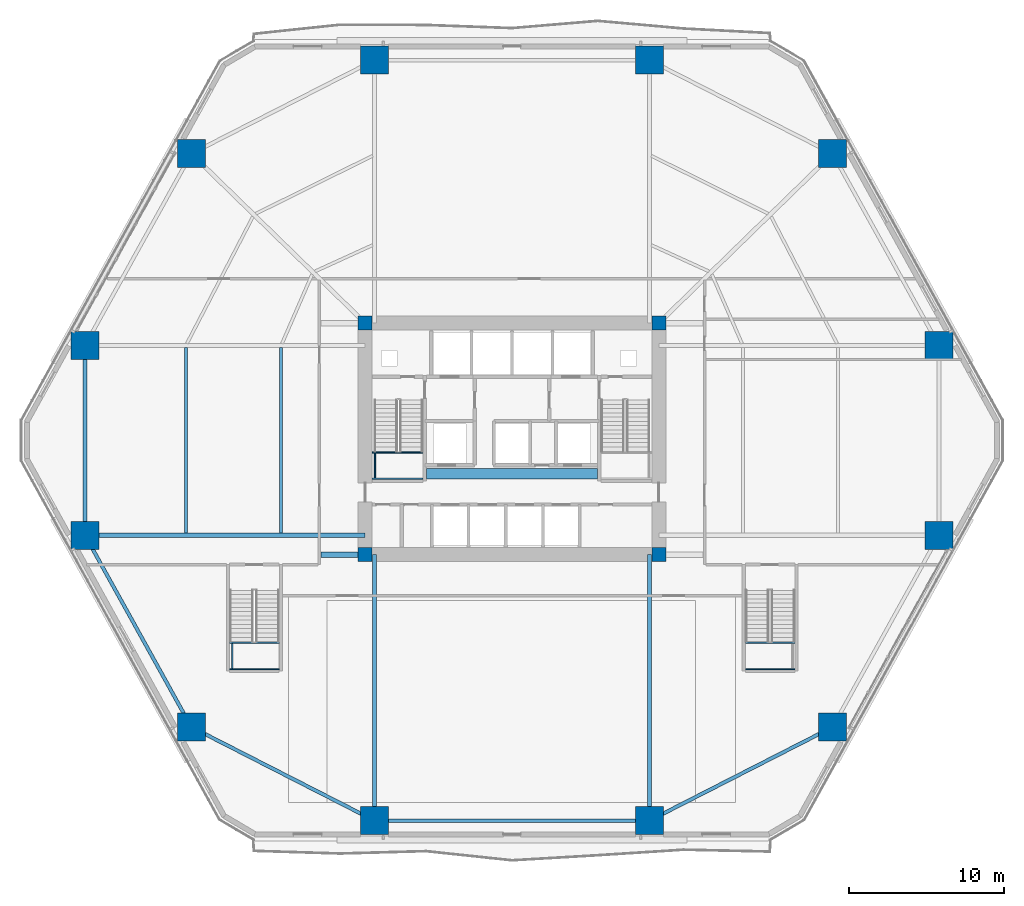
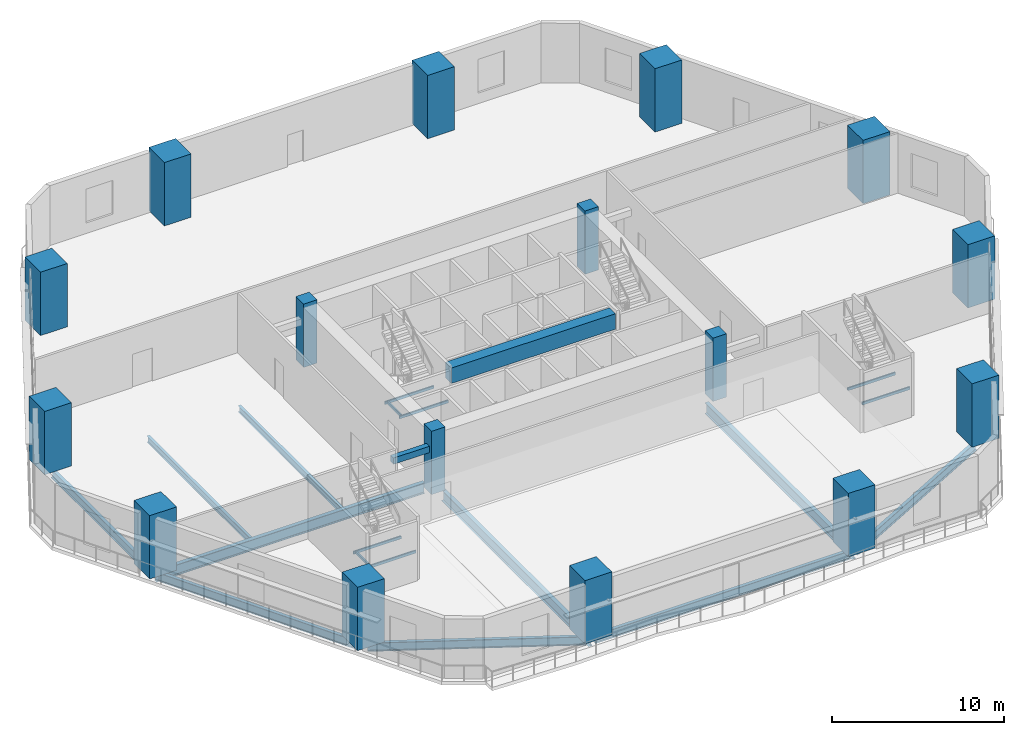
# One storey, part 1 of 21: 20 beams, 16 columns.
"""IFC4 building model written with IfcOpenShell, lengths in metres."""

from ifc_helpers import new_model, si_unit, direction, frame, origin, origin_2d, place, context, subcontext, project, spatial, rectangle, hollow_rectangle, i_section, extrude, material, material_profile, profile_set, type_object, element, save


model = new_model("IFC4")

# Units and contexts
model_context = context("Model", 3, precision=1e-05, world=origin(), true_north=direction((0.0, 1.0)))
body_context = subcontext(model_context, "Body", "Model", "MODEL_VIEW")
ifc_project = project(units=[si_unit("LENGTHUNIT", "METRE"), si_unit("AREAUNIT", "SQUARE_METRE"), si_unit("VOLUMEUNIT", "CUBIC_METRE"), si_unit("PLANEANGLEUNIT", "RADIAN"), si_unit("MASSUNIT", "GRAM", prefix="KILO")], contexts=[model_context])

# Site, building, storey
site_placement = place(None, origin())
site = spatial("IfcSite", under=ifc_project, at=site_placement, CompositionType="ELEMENT")
building_placement = place(site_placement, origin())
building = spatial("IfcBuilding", under=site, at=building_placement, Name="Cinnabar Lancet Tower", CompositionType="ELEMENT")
storey_placement = place(building_placement, frame((0.0, 0.0, 6.0)))
storey = spatial("IfcBuildingStorey", under=building, at=storey_placement, Name="L01", CompositionType="ELEMENT", Elevation=6.0)

# Columns
ifc_material_1 = material(Name="Concrete C80/95", Category="concrete")
ifc_material_profile_1 = material_profile(ifc_material_1, rectangle(XDim=0.89990234375, YDim=0.89990234375, at=origin_2d()), Name="RC-COL 900x900")
ifc_profile_set_1 = profile_set([ifc_material_profile_1], Name="Concrete C80/95")
column_type_1 = type_object("IfcColumnType", Name="STR-COL-CORE-900", PredefinedType="COLUMN", material=ifc_profile_set_1)
for number, where, z_axis, x_axis, name in (
    (1, (22.949951171875, 18.449951171875, 0.0), (0.0, 0.0, 1.0), (1.0, 0.0, 0.0), "L01 Core Corner Column SW"),
    (2, (41.85009765625, 18.449951171875, 0.0), (0.0, 0.0, 1.0), (1.0, 0.0, 0.0), "L01 Core Corner Column SE"),
    (3, (41.85009765625, 33.35009765625, 0.0), (0.0, 0.0, 1.0), (1.0, 0.0, 0.0), "L01 Core Corner Column NE"),
    (4, (22.949951171875, 33.35009765625, 0.0), (0.0, 0.0, 1.0), (1.0, 0.0, 0.0), "L01 Core Corner Column NW"),
):
    element("IfcColumn", number, at=place(storey_placement, frame(where, z_axis=z_axis, x_axis=x_axis)), inside=storey, type_object=column_type_1, Name=name, PredefinedType="COLUMN", context=body_context, shape_type="SweptSolid", body=[
        extrude(rectangle(XDim=0.89990234375, YDim=0.89990234375, at=origin_2d()), origin(), (0.0, 0.0, 1.0), 4.5),
    ])
ifc_material_2 = material(Name="Concrete C80/95", Category="concrete")
ifc_material_profile_2 = material_profile(ifc_material_2, rectangle(XDim=1.800048828125, YDim=1.800048828125, at=origin_2d()), Name="RC-MEGA 1800x1800")
ifc_profile_set_2 = profile_set([ifc_material_profile_2], Name="Concrete C80/95")
column_type_2 = type_object("IfcColumnType", Name="STR-COL-MEGA-1800", PredefinedType="COLUMN", material=ifc_profile_set_2)
for number, where, z_axis, x_axis, name in (
    (5, (23.554931640625, 1.31689453125, 0.0), (0.0, 0.0, 1.0), (1.0, 0.0, 0.0), "L01 Y-Pilotis Mega-Column 1"),
    (6, (41.2451171875, 1.31689453125, 0.0), (0.0, 0.0, 1.0), (1.0, 0.0, 0.0), "L01 Y-Pilotis Mega-Column 2"),
    (7, (53.04296875, 7.343994140625, 0.0), (0.0, 0.0, 1.0), (1.0, 0.0, 0.0), "L01 Y-Pilotis Mega-Column 3"),
    (8, (59.89111328125, 19.69189453125, 0.0), (0.0, 0.0, 1.0), (1.0, 0.0, 0.0), "L01 Y-Pilotis Mega-Column 4"),
    (9, (59.89111328125, 31.907958984375, 0.0), (0.0, 0.0, 1.0), (1.0, 0.0, 0.0), "L01 Y-Pilotis Mega-Column 5"),
    (10, (53.04296875, 44.256103515625, 0.0), (0.0, 0.0, 1.0), (1.0, 0.0, 0.0), "L01 Y-Pilotis Mega-Column 6"),
    (11, (41.2451171875, 50.282958984375, 0.0), (0.0, 0.0, 1.0), (1.0, 0.0, 0.0), "L01 Y-Pilotis Mega-Column 7"),
    (12, (23.554931640625, 50.282958984375, 0.0), (0.0, 0.0, 1.0), (1.0, 0.0, 0.0), "L01 Y-Pilotis Mega-Column 8"),
    (13, (11.757080078125, 44.256103515625, 0.0), (0.0, 0.0, 1.0), (1.0, 0.0, 0.0), "L01 Y-Pilotis Mega-Column 9"),
    (14, (4.908935546875, 31.907958984375, 0.0), (0.0, 0.0, 1.0), (1.0, 0.0, 0.0), "L01 Y-Pilotis Mega-Column 10"),
    (15, (4.908935546875, 19.69189453125, 0.0), (0.0, 0.0, 1.0), (1.0, 0.0, 0.0), "L01 Y-Pilotis Mega-Column 11"),
    (16, (11.757080078125, 7.343994140625, 0.0), (0.0, 0.0, 1.0), (1.0, 0.0, 0.0), "L01 Y-Pilotis Mega-Column 12"),
):
    element("IfcColumn", number, at=place(storey_placement, frame(where, z_axis=z_axis, x_axis=x_axis)), inside=storey, type_object=column_type_2, Name=name, PredefinedType="COLUMN", context=body_context, shape_type="SweptSolid", body=[
        extrude(rectangle(XDim=1.800048828125, YDim=1.800048828125, at=origin_2d()), origin(), (0.0, 0.0, 1.0), 4.5),
    ])

# Beams
ifc_material_3 = material(Name="Concrete C70/85", Category="concrete")
ifc_material_profile_3 = material_profile(ifc_material_3, rectangle(XDim=0.699951171875, YDim=1.10009765625, at=origin_2d()), Name="RC-CB 700x1100")
ifc_profile_set_3 = profile_set([ifc_material_profile_3], Name="Concrete C70/85")
beam_type_1 = type_object("IfcBeamType", Name="STR-BM-CB-1100", PredefinedType="BEAM", material=ifc_profile_set_3)
beam_1_placement = place(storey_placement, frame((26.8798828125, 23.64990234375, 3.699951171875), z_axis=(1.0, 0.0, 0.0), x_axis=(0.0, 1.0, 0.0)))
element("IfcBeam", 17, at=beam_1_placement, inside=storey, type_object=beam_type_1, Name="L01 Core Coupling Beam", PredefinedType="BEAM", context=body_context, shape_type="SweptSolid", body=[
    extrude(rectangle(XDim=0.699951171875, YDim=1.10009765625, at=origin_2d()), origin(), (0.0, 0.0, 1.0), 11.0400390625),
])
ifc_material_4 = material(Name="Structural steel S355", Category="steel")
ifc_material_profile_4 = material_profile(ifc_material_4, i_section(OverallWidth=0.1904296875, OverallDepth=0.45703125, WebThickness=0.009033203125, FlangeThickness=0.014404296875, FilletRadius=0.01025390625, at=origin_2d()), Name="UKB 457x191x74")
ifc_profile_set_4 = profile_set([ifc_material_profile_4], Name="Structural steel S355")
beam_type_2 = type_object("IfcBeamType", Name="STR-BM-JST-457", PredefinedType="JOIST", material=ifc_profile_set_4)
for number, where, z_axis, x_axis, name in (
    (18, (11.404052734375, 31.77490234375, -0.47900390625), (0.0, -1.0, 0.0), (1.0, 0.0, 0.0), "L01 Secondary Floor Joist 11"),
    (19, (17.5380859375, 31.77490234375, -0.47900390625), (0.0, -1.0, 0.0), (1.0, 0.0, 0.0), "L01 Secondary Floor Joist 12"),
):
    element("IfcBeam", number, at=place(storey_placement, frame(where, z_axis=z_axis, x_axis=x_axis)), inside=storey, type_object=beam_type_2, Name=name, PredefinedType="JOIST", context=body_context, shape_type="SweptSolid", body=[
        extrude(i_section(OverallWidth=0.1904296875, OverallDepth=0.45703125, WebThickness=0.009033203125, FlangeThickness=0.014404296875, FilletRadius=0.01025390625, at=origin_2d()), origin(), (0.0, 0.0, 1.0), 11.949951171875),
    ])
ifc_material_5 = material(Name="Structural steel S355", Category="steel")
ifc_material_profile_5 = material_profile(ifc_material_5, hollow_rectangle(XDim=0.10009765625, YDim=0.199951171875, WallThickness=0.008056640625, InnerFilletRadius=0.00390625, OuterFilletRadius=0.011962890625, at=origin_2d()), Name="RHS 200x100x8")
ifc_profile_set_5 = profile_set([ifc_material_profile_5], Name="Structural steel S355")
beam_type_3 = type_object("IfcBeamType", Name="STR-BM-LND-203", PredefinedType="BEAM", material=ifc_profile_set_5)
for number, where, z_axis, x_axis, name in (
    (20, (23.39990234375, 23.330078125, 1.949951171875), (1.0, 0.0, 0.0), (0.0, 1.0, 0.0), "L01 ST-1-L01 Landing Support Beam S"),
    (21, (23.39990234375, 25.02001953125, 1.949951171875), (1.0, 0.0, 0.0), (0.0, 1.0, 0.0), "L01 ST-1-L01 Landing Support Beam N"),
):
    element("IfcBeam", number, at=place(storey_placement, frame(where, z_axis=z_axis, x_axis=x_axis)), inside=storey, type_object=beam_type_3, Name=name, PredefinedType="BEAM", context=body_context, shape_type="SweptSolid", body=[
        extrude(hollow_rectangle(XDim=0.10009765625, YDim=0.199951171875, WallThickness=0.008056640625, InnerFilletRadius=0.00390625, OuterFilletRadius=0.011962890625, at=origin_2d()), origin(), (0.0, 0.0, 1.0), 3.280029296875),
    ])
beam_2_placement = place(storey_placement, frame((23.580078125, 23.3798828125, 1.949951171875), z_axis=(0.0, 1.0, 0.0), x_axis=(-1.0, 0.0, 0.0)))
element("IfcBeam", 22, at=beam_2_placement, inside=storey, type_object=beam_type_3, Name="L01 ST-1-L01 Landing Side Trimmer Beam", PredefinedType="BEAM", context=body_context, shape_type="SweptSolid", body=[
    extrude(hollow_rectangle(XDim=0.10009765625, YDim=0.199951171875, WallThickness=0.008056640625, InnerFilletRadius=0.00390625, OuterFilletRadius=0.011962890625, at=origin_2d()), origin(), (0.0, 0.0, 1.0), 1.590087890625),
])
for number, where, z_axis, x_axis, name in (
    (23, (14.219970703125, 11.080078125, 1.949951171875), (1.0, 0.0, 0.0), (0.0, 1.0, 0.0), "L01 ST-3-L01 Landing Support Beam S"),
    (24, (14.219970703125, 12.77001953125, 1.949951171875), (1.0, 0.0, 0.0), (0.0, 1.0, 0.0), "L01 ST-3-L01 Landing Support Beam N"),
):
    element("IfcBeam", number, at=place(storey_placement, frame(where, z_axis=z_axis, x_axis=x_axis)), inside=storey, type_object=beam_type_3, Name=name, PredefinedType="BEAM", context=body_context, shape_type="SweptSolid", body=[
        extrude(hollow_rectangle(XDim=0.10009765625, YDim=0.199951171875, WallThickness=0.008056640625, InnerFilletRadius=0.00390625, OuterFilletRadius=0.011962890625, at=origin_2d()), origin(), (0.0, 0.0, 1.0), 3.199951171875),
    ])
beam_3_placement = place(storey_placement, frame((14.3798828125, 11.1298828125, 1.949951171875), z_axis=(0.0, 1.0, 0.0), x_axis=(-1.0, 0.0, 0.0)))
element("IfcBeam", 25, at=beam_3_placement, inside=storey, type_object=beam_type_3, Name="L01 ST-3-L01 Landing Side Trimmer Beam", PredefinedType="BEAM", context=body_context, shape_type="SweptSolid", body=[
    extrude(hollow_rectangle(XDim=0.10009765625, YDim=0.199951171875, WallThickness=0.008056640625, InnerFilletRadius=0.00390625, OuterFilletRadius=0.011962890625, at=origin_2d()), origin(), (0.0, 0.0, 1.0), 1.590087890625),
])
for number, where, z_axis, x_axis, name in (
    (26, (47.419921875, 11.080078125, 1.949951171875), (1.0, 0.0, 0.0), (0.0, 1.0, 0.0), "L01 ST-4-L01 Landing Support Beam S"),
    (27, (47.419921875, 12.77001953125, 1.949951171875), (1.0, 0.0, 0.0), (0.0, 1.0, 0.0), "L01 ST-4-L01 Landing Support Beam N"),
):
    element("IfcBeam", number, at=place(storey_placement, frame(where, z_axis=z_axis, x_axis=x_axis)), inside=storey, type_object=beam_type_3, Name=name, PredefinedType="BEAM", context=body_context, shape_type="SweptSolid", body=[
        extrude(hollow_rectangle(XDim=0.10009765625, YDim=0.199951171875, WallThickness=0.008056640625, InnerFilletRadius=0.00390625, OuterFilletRadius=0.011962890625, at=origin_2d()), origin(), (0.0, 0.0, 1.0), 3.2001953125),
    ])
ifc_material_6 = material(Name="Concrete C45/55", Category="concrete")
ifc_material_profile_6 = material_profile(ifc_material_6, rectangle(XDim=0.35009765625, YDim=0.449951171875, at=origin_2d()), Name="RC-LNT 350x450")
ifc_profile_set_6 = profile_set([ifc_material_profile_6], Name="Concrete C45/55")
beam_type_4 = type_object("IfcBeamType", Name="STR-BM-LNT-450", PredefinedType="LINTEL", material=ifc_profile_set_6)
beam_4_placement = place(storey_placement, frame((20.10009765625, 18.449951171875, 3.050048828125), z_axis=(1.0, 0.0, 0.0), x_axis=(0.0, 1.0, 0.0)))
element("IfcBeam", 28, at=beam_4_placement, inside=storey, type_object=beam_type_4, Name="L01 Podium Gallery Arch Lintel SW", PredefinedType="LINTEL", context=body_context, shape_type="SweptSolid", body=[
    extrude(rectangle(XDim=0.35009765625, YDim=0.449951171875, at=origin_2d()), origin(), (0.0, 0.0, 1.0), 2.39990234375),
])
ifc_material_7 = material(Name="Structural steel S355", Category="steel")
ifc_material_profile_7 = material_profile(ifc_material_7, i_section(OverallWidth=0.228271484375, OverallDepth=0.607666015625, WebThickness=0.010986328125, FlangeThickness=0.017333984375, FilletRadius=0.0126953125, at=origin_2d()), Name="UKB 610x229x113")
ifc_profile_set_7 = profile_set([ifc_material_profile_7], Name="Structural steel S355")
beam_type_5 = type_object("IfcBeamType", Name="STR-BM-SPN-610", PredefinedType="SPANDREL", material=ifc_profile_set_7)
beam_5_placement = place(storey_placement, frame((23.804931640625, 1.31689453125, -0.553955078125), z_axis=(1.0, 0.0, 0.0), x_axis=(0.0, 1.0, 0.0)))
element("IfcBeam", 29, at=beam_5_placement, inside=storey, type_object=beam_type_5, Name="L01 Perimeter Spandrel 1", PredefinedType="SPANDREL", context=body_context, shape_type="SweptSolid", body=[
    extrude(i_section(OverallWidth=0.228271484375, OverallDepth=0.607666015625, WebThickness=0.010986328125, FlangeThickness=0.017333984375, FilletRadius=0.0126953125, at=origin_2d()), origin(), (0.0, 0.0, 1.0), 17.190185546875),
])
beam_6_placement = place(storey_placement, frame((41.468017578125, 1.430908203125, -0.553955078125), z_axis=(0.890532798964, 0.454919041116, 0.0), x_axis=(-0.454919041116, 0.890532798964, 0.0)))
element("IfcBeam", 30, at=beam_6_placement, inside=storey, type_object=beam_type_5, Name="L01 Perimeter Spandrel 2", PredefinedType="SPANDREL", context=body_context, shape_type="SweptSolid", body=[
    extrude(i_section(OverallWidth=0.228271484375, OverallDepth=0.607666015625, WebThickness=0.010986328125, FlangeThickness=0.017333984375, FilletRadius=0.0126953125, at=origin_2d()), origin(), (0.0, 0.0, 1.0), 12.74755859375),
])
beam_7_placement = place(storey_placement, frame((4.908935546875, 31.657958984375, -0.553955078125), z_axis=(0.0, -1.0, 0.0), x_axis=(1.0, 0.0, 0.0)))
element("IfcBeam", 31, at=beam_7_placement, inside=storey, type_object=beam_type_5, Name="L01 Perimeter Spandrel 10", PredefinedType="SPANDREL", context=body_context, shape_type="SweptSolid", body=[
    extrude(i_section(OverallWidth=0.228271484375, OverallDepth=0.607666015625, WebThickness=0.010986328125, FlangeThickness=0.017333984375, FilletRadius=0.0126953125, at=origin_2d()), origin(), (0.0, 0.0, 1.0), 11.716064453125),
])
beam_8_placement = place(storey_placement, frame((5.030029296875, 19.472900390625, -0.553955078125), z_axis=(0.485044660428, -0.874489380947, 0.0), x_axis=(0.874489380947, 0.485044660428, 0.0)))
element("IfcBeam", 32, at=beam_8_placement, inside=storey, type_object=beam_type_5, Name="L01 Perimeter Spandrel 11", PredefinedType="SPANDREL", context=body_context, shape_type="SweptSolid", body=[
    extrude(i_section(OverallWidth=0.228271484375, OverallDepth=0.607666015625, WebThickness=0.010986328125, FlangeThickness=0.017333984375, FilletRadius=0.0126953125, at=origin_2d()), origin(), (0.0, 0.0, 1.0), 13.619384765625),
])
beam_9_placement = place(storey_placement, frame((11.97998046875, 7.22998046875, -0.553955078125), z_axis=(0.890532798964, -0.454919041116, 0.0), x_axis=(0.454919041116, 0.890532798964, 0.0)))
element("IfcBeam", 33, at=beam_9_placement, inside=storey, type_object=beam_type_5, Name="L01 Perimeter Spandrel 12", PredefinedType="SPANDREL", context=body_context, shape_type="SweptSolid", body=[
    extrude(i_section(OverallWidth=0.228271484375, OverallDepth=0.607666015625, WebThickness=0.010986328125, FlangeThickness=0.017333984375, FilletRadius=0.0126953125, at=origin_2d()), origin(), (0.0, 0.0, 1.0), 12.74755859375),
])
ifc_material_8 = material(Name="Structural steel S355", Category="steel")
ifc_material_profile_8 = material_profile(ifc_material_8, i_section(OverallWidth=0.2666015625, OverallDepth=0.76220703125, WebThickness=0.014404296875, FlangeThickness=0.021484375, FilletRadius=0.0166015625, at=origin_2d()), Name="UKB 762x267x173")
ifc_profile_set_8 = profile_set([ifc_material_profile_8], Name="Structural steel S355")
beam_type_6 = type_object("IfcBeamType", Name="STR-BM-UKB762-173", PredefinedType="BEAM", material=ifc_profile_set_8)
for number, where, z_axis, x_axis, name in (
    (34, (23.554931640625, 1.31689453125, -0.631103515625), (0.0, 1.0, 0.0), (-1.0, 0.0, 0.0), "L01 Primary Floor Girder 1"),
    (35, (41.2451171875, 1.31689453125, -0.631103515625), (0.0, 1.0, 0.0), (-1.0, 0.0, 0.0), "L01 Primary Floor Girder 2"),
):
    element("IfcBeam", number, at=place(storey_placement, frame(where, z_axis=z_axis, x_axis=x_axis)), inside=storey, type_object=beam_type_6, Name=name, PredefinedType="BEAM", context=body_context, shape_type="SweptSolid", body=[
        extrude(i_section(OverallWidth=0.2666015625, OverallDepth=0.76220703125, WebThickness=0.014404296875, FlangeThickness=0.021484375, FilletRadius=0.0166015625, at=origin_2d()), origin(), (0.0, 0.0, 1.0), 17.133056640625),
    ])
beam_10_placement = place(storey_placement, frame((4.908935546875, 19.69189453125, -0.631103515625), z_axis=(1.0, 0.0, 0.0), x_axis=(0.0, 1.0, 0.0)))
element("IfcBeam", 36, at=beam_10_placement, inside=storey, type_object=beam_type_6, Name="L01 Primary Floor Girder 11", PredefinedType="BEAM", context=body_context, shape_type="SweptSolid", body=[
    extrude(i_section(OverallWidth=0.2666015625, OverallDepth=0.76220703125, WebThickness=0.014404296875, FlangeThickness=0.021484375, FilletRadius=0.0166015625, at=origin_2d()), origin(), (0.0, 0.0, 1.0), 18.041015625),
])

save(model, "model.ifc")
